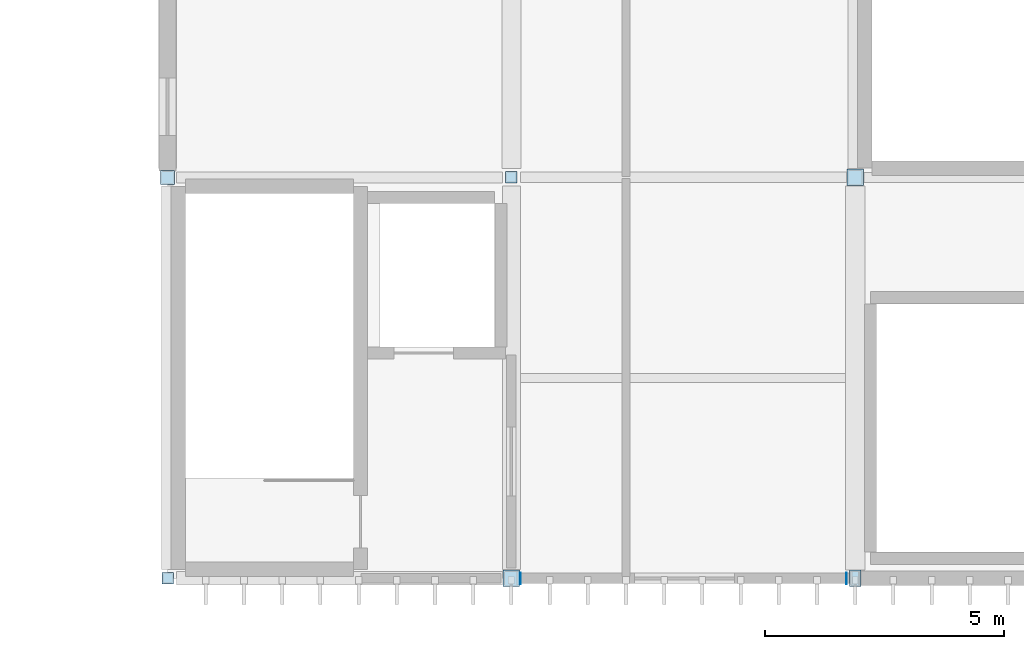
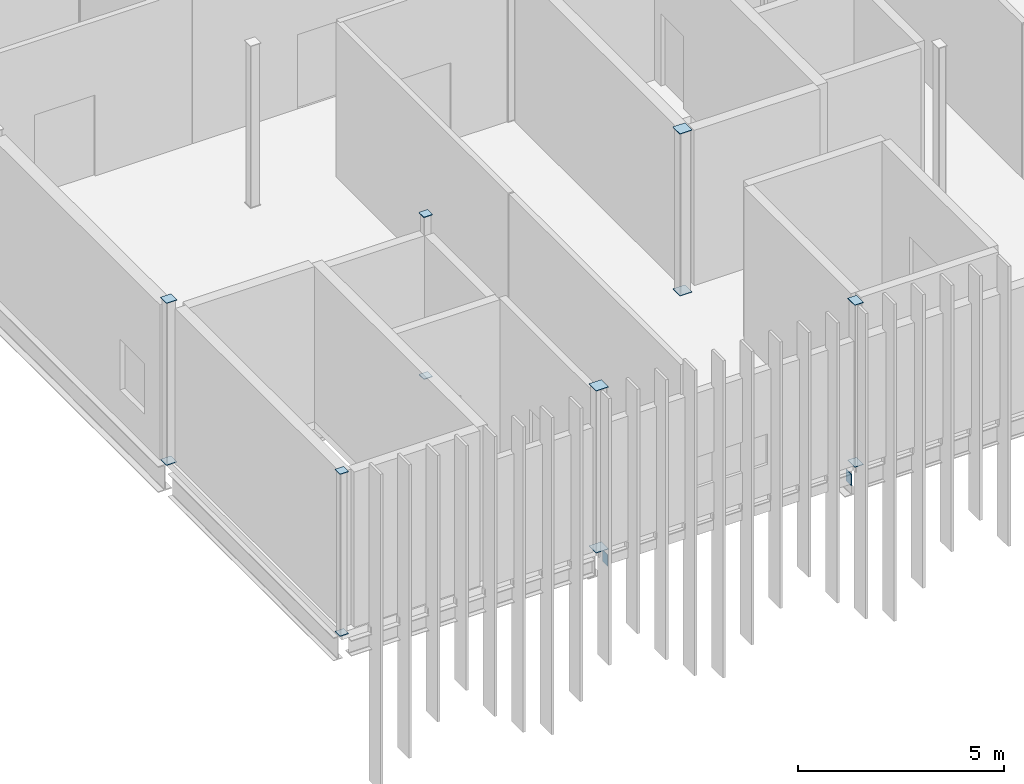
# One storey, part 15 of 27: 14 plates.
"""IFC4 building model written with IfcOpenShell, lengths in metres."""

from ifc_helpers import new_model, si_unit, direction, frame, origin, origin_2d, place, context, subcontext, project, spatial, rectangle, extrude, material, layer, layer_set, type_object, element, save


model = new_model("IFC4")

# Units and contexts
model_context = context("Model", 3, precision=1e-05, world=origin(), true_north=direction((0.0, 1.0)))
body_context = subcontext(model_context, "Body", "Model", "MODEL_VIEW")
ifc_project = project(units=[si_unit("LENGTHUNIT", "METRE"), si_unit("AREAUNIT", "SQUARE_METRE"), si_unit("VOLUMEUNIT", "CUBIC_METRE"), si_unit("PLANEANGLEUNIT", "RADIAN"), si_unit("MASSUNIT", "GRAM", prefix="KILO")], contexts=[model_context])

# Site, building, storey
site_placement = place(None, origin())
site = spatial("IfcSite", under=ifc_project, at=site_placement, CompositionType="ELEMENT")
building_placement = place(site_placement, origin())
building = spatial("IfcBuilding", under=site, at=building_placement, Name="Calvrana Isthmian Art Gallery", CompositionType="ELEMENT")
storey_placement = place(building_placement, frame((0.0, 0.0, 24.60009765625)))
storey = spatial("IfcBuildingStorey", under=building, at=storey_placement, Name="L05", CompositionType="ELEMENT", Elevation=24.60009765625)

# Plates
ifc_material = material(Name="Steel ASTM A572 Gr 50", Category="steel")
ifc_layer = layer(ifc_material, 0.01611328125, Name="Steel ASTM A572 Gr 50")
ifc_layer_set = layer_set([ifc_layer], Name="Steel ASTM A572 Gr 50")
plate_type = type_object("IfcPlateType", Name="PL-CAP-16", PredefinedType="SHEET", material=ifc_layer_set)
for number, where, z_axis, x_axis, name in (
    (1, (112.800048828125, 21.60009765625, -0.008056640625), (0.0, 0.0, 1.0), (1.0, 0.0, 0.0), "Hollow section end cap plate 261"),
    (2, (112.800048828125, 21.60009765625, 4.791748046875), (0.0, 0.0, 1.0), (1.0, 0.0, 0.0), "Hollow section end cap plate 262"),
):
    element("IfcPlate", number, at=place(storey_placement, frame(where, z_axis=z_axis, x_axis=x_axis)), inside=storey, type_object=plate_type, Name=name, PredefinedType="SHEET", context=body_context, shape_type="SweptSolid", body=[
        extrude(rectangle(XDim=0.2431640625, YDim=0.2431640625, at=origin_2d()), origin(), (0.0, 0.0, 1.0), 0.01611328125),
    ])
for number, where, z_axis, x_axis, name in (
    (3, (112.800048828125, 30.0, -0.008056640625), (0.0, 0.0, 1.0), (1.0, 0.0, 0.0), "Hollow section end cap plate 263"),
    (4, (112.800048828125, 30.0, 4.791748046875), (0.0, 0.0, 1.0), (1.0, 0.0, 0.0), "Hollow section end cap plate 264"),
):
    element("IfcPlate", number, at=place(storey_placement, frame(where, z_axis=z_axis, x_axis=x_axis)), inside=storey, type_object=plate_type, Name=name, PredefinedType="SHEET", context=body_context, shape_type="SweptSolid", body=[
        extrude(rectangle(XDim=0.2939453125, YDim=0.2939453125, at=origin_2d()), origin(), (0.0, 0.0, 1.0), 0.01611328125),
    ])
for number, where, z_axis, x_axis, name in (
    (5, (120.0, 21.60009765625, -0.008056640625), (0.0, 0.0, 1.0), (1.0, 0.0, 0.0), "Hollow section end cap plate 283"),
    (6, (120.0, 21.60009765625, 4.791748046875), (0.0, 0.0, 1.0), (1.0, 0.0, 0.0), "Hollow section end cap plate 284"),
):
    element("IfcPlate", number, at=place(storey_placement, frame(where, z_axis=z_axis, x_axis=x_axis)), inside=storey, type_object=plate_type, Name=name, PredefinedType="SHEET", context=body_context, shape_type="SweptSolid", body=[
        extrude(rectangle(XDim=0.3447265625, YDim=0.3447265625, at=origin_2d()), origin(), (0.0, 0.0, 1.0), 0.01611328125),
    ])
for number, where, z_axis, x_axis, name in (
    (7, (120.0, 30.0, -0.008056640625), (0.0, 0.0, 1.0), (1.0, 0.0, 0.0), "Hollow section end cap plate 285"),
    (8, (120.0, 30.0, 4.791748046875), (0.0, 0.0, 1.0), (1.0, 0.0, 0.0), "Hollow section end cap plate 286"),
):
    element("IfcPlate", number, at=place(storey_placement, frame(where, z_axis=z_axis, x_axis=x_axis)), inside=storey, type_object=plate_type, Name=name, PredefinedType="SHEET", context=body_context, shape_type="SweptSolid", body=[
        extrude(rectangle(XDim=0.2431640625, YDim=0.2431640625, at=origin_2d()), origin(), (0.0, 0.0, 1.0), 0.01611328125),
    ])
for number, where, z_axis, x_axis, name in (
    (9, (127.199951171875, 21.60009765625, -0.008056640625), (0.0, 0.0, 1.0), (1.0, 0.0, 0.0), "Hollow section end cap plate 297"),
    (10, (127.199951171875, 21.60009765625, 4.791748046875), (0.0, 0.0, 1.0), (1.0, 0.0, 0.0), "Hollow section end cap plate 298"),
):
    element("IfcPlate", number, at=place(storey_placement, frame(where, z_axis=z_axis, x_axis=x_axis)), inside=storey, type_object=plate_type, Name=name, PredefinedType="SHEET", context=body_context, shape_type="SweptSolid", body=[
        extrude(rectangle(XDim=0.2431640625, YDim=0.3447265625, at=origin_2d()), origin(), (0.0, 0.0, 1.0), 0.01611328125),
    ])
for number, where, z_axis, x_axis, name in (
    (11, (127.199951171875, 30.0, -0.008056640625), (0.0, 0.0, 1.0), (1.0, 0.0, 0.0), "Hollow section end cap plate 299"),
    (12, (127.199951171875, 30.0, 4.791748046875), (0.0, 0.0, 1.0), (1.0, 0.0, 0.0), "Hollow section end cap plate 300"),
):
    element("IfcPlate", number, at=place(storey_placement, frame(where, z_axis=z_axis, x_axis=x_axis)), inside=storey, type_object=plate_type, Name=name, PredefinedType="SHEET", context=body_context, shape_type="SweptSolid", body=[
        extrude(rectangle(XDim=0.3447265625, YDim=0.3447265625, at=origin_2d()), origin(), (0.0, 0.0, 1.0), 0.01611328125),
    ])
for number, where, z_axis, x_axis, name in (
    (13, (120.185546875, 21.60009765625, -0.5498046875), (0.0, 0.0, 1.0), (1.0, 0.0, 0.0), "Hollow section end cap plate 497"),
    (14, (127.01611328125, 21.60009765625, -0.5498046875), (0.0, 0.0, 1.0), (1.0, 0.0, 0.0), "Hollow section end cap plate 498"),
):
    element("IfcPlate", number, at=place(storey_placement, frame(where, z_axis=z_axis, x_axis=x_axis)), inside=storey, type_object=plate_type, Name=name, PredefinedType="SHEET", context=body_context, shape_type="SweptSolid", body=[
        extrude(rectangle(XDim=0.01611328125, YDim=0.2431640625, at=origin_2d()), origin(), (0.0, 0.0, 1.0), 0.3447265625),
    ])

save(model, "model.ifc")
